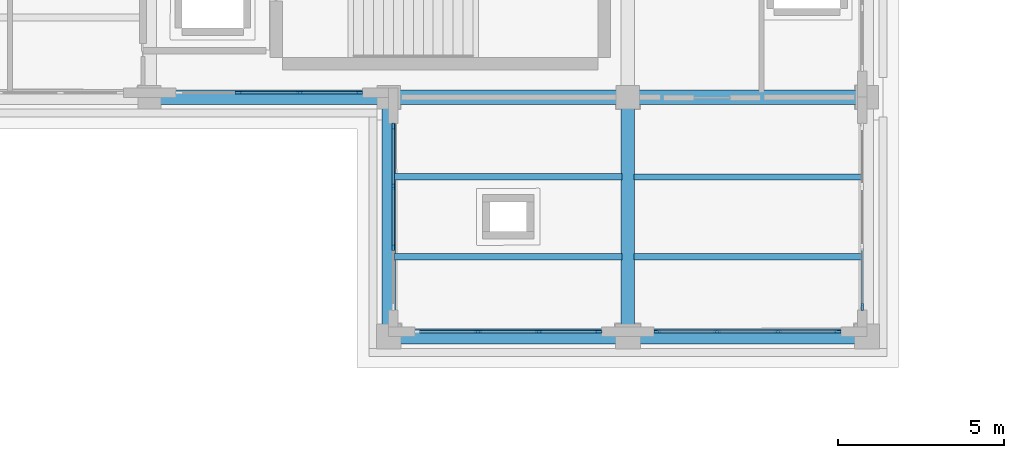
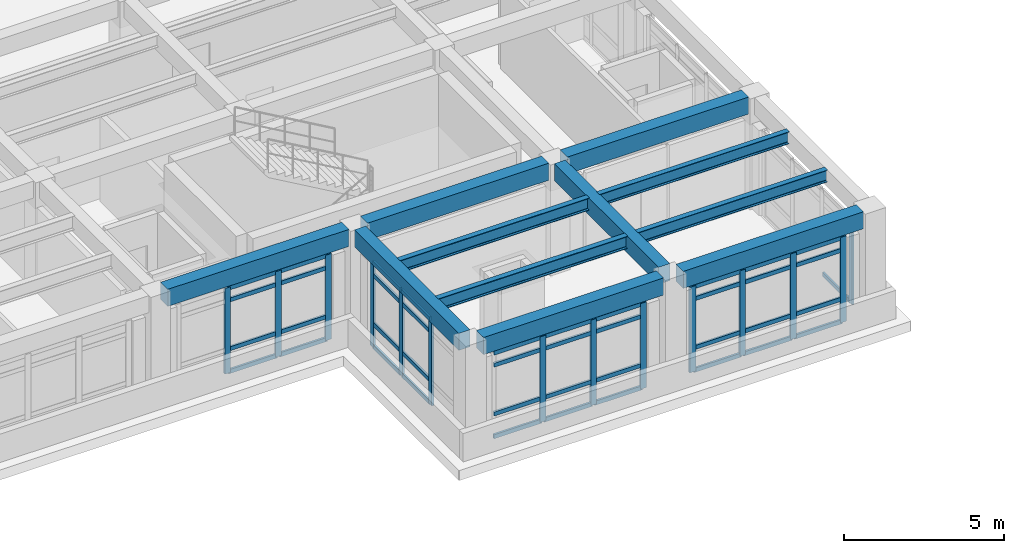
# One storey, part 26 of 64: 55 members, 11 beams, 5 elements without a shape of their own.
"""IFC4 building model written with IfcOpenShell, lengths in metres."""

from ifc_helpers import new_model, si_unit, direction, frame, origin, origin_2d, place, context, subcontext, project, spatial, rectangle, i_section, extrude, material, layer, layer_set, material_profile, profile_set, type_object, element, aggregate, save


model = new_model("IFC4")

# Units and contexts
model_context = context("Model", 3, precision=1e-05, world=origin(), true_north=direction((0.0, 1.0)))
body_context = subcontext(model_context, "Body", "Model", "MODEL_VIEW")
ifc_project = project(units=[si_unit("LENGTHUNIT", "METRE"), si_unit("AREAUNIT", "SQUARE_METRE"), si_unit("VOLUMEUNIT", "CUBIC_METRE"), si_unit("PLANEANGLEUNIT", "RADIAN"), si_unit("MASSUNIT", "GRAM", prefix="KILO")], contexts=[model_context])

# Site, building, storey
site_placement = place(None, origin())
site = spatial("IfcSite", under=ifc_project, at=site_placement, CompositionType="ELEMENT")
building_placement = place(site_placement, origin())
building = spatial("IfcBuilding", under=site, at=building_placement, Name="Solenvale Faculty of Natural Sciences", CompositionType="ELEMENT")
storey_placement = place(building_placement, frame((0.0, 0.0, 18.0)))
storey = spatial("IfcBuildingStorey", under=building, at=storey_placement, Name="L04", CompositionType="ELEMENT", Elevation=18.0)

# Beams
ifc_material_1 = material(Name="Concrete 40 MPa", Category="concrete")
ifc_material_profile_1 = material_profile(ifc_material_1, rectangle(XDim=0.39990234375, YDim=0.64990234375, at=origin_2d()), Name="RC-BM-400x650")
ifc_profile_set_1 = profile_set([ifc_material_profile_1], Name="Concrete 40 MPa")
beam_type_1 = type_object("IfcBeamType", Name="BM-RC-400x650", PredefinedType="BEAM", material=ifc_profile_set_1)
for number, where, z_axis, x_axis, name in (
    (1, (136.800048828125, 86.7548828125, 3.89501953125), (0.0, 1.0, 0.0), (-1.0, 0.0, 0.0), "L04 Y-Girder X136.8 (86.4..93.6)"),
    (2, (144.0, 86.7548828125, 3.89501953125), (0.0, 1.0, 0.0), (-1.0, 0.0, 0.0), "L04 Y-Girder X144.0 (86.4..93.6)"),
):
    element("IfcBeam", number, at=place(storey_placement, frame(where, z_axis=z_axis, x_axis=x_axis)), inside=storey, type_object=beam_type_1, Name=name, PredefinedType="BEAM", context=body_context, shape_type="SweptSolid", body=[
        extrude(rectangle(XDim=0.39990234375, YDim=0.64990234375, at=origin_2d()), origin(), (0.0, 0.0, 1.0), 6.51513671875),
    ])
ifc_material_profile_2 = material_profile(ifc_material_1, rectangle(XDim=0.449951171875, YDim=0.64990234375, at=origin_2d()), Name="RC-BM-450x650")
ifc_profile_set_2 = profile_set([ifc_material_profile_2], Name="Concrete 40 MPa")
beam_type_2 = type_object("IfcBeamType", Name="BM-RC-450x650", PredefinedType="BEAM", material=ifc_profile_set_2)
for number, where, z_axis, x_axis, name in (
    (3, (137.155029296875, 86.39990234375, 3.89501953125), (1.0, 0.0, 0.0), (0.0, 1.0, 0.0), "L04 X-Girder Y86.4 (136.8..144.0)"),
    (4, (144.35498046875, 86.39990234375, 3.89501953125), (1.0, 0.0, 0.0), (0.0, 1.0, 0.0), "L04 X-Girder Y86.4 (144.0..151.2)"),
):
    element("IfcBeam", number, at=place(storey_placement, frame(where, z_axis=z_axis, x_axis=x_axis)), inside=storey, type_object=beam_type_2, Name=name, PredefinedType="BEAM", context=body_context, shape_type="SweptSolid", body=[
        extrude(rectangle(XDim=0.449951171875, YDim=0.64990234375, at=origin_2d()), origin(), (0.0, 0.0, 1.0), 6.489990234375),
    ])
for number, where, z_axis, x_axis, name in (
    (5, (129.929931640625, 93.60009765625, 3.89501953125), (1.0, 0.0, 0.0), (0.0, 1.0, 0.0), "L04 X-Girder Y93.6 (129.6..136.8)"),
    (6, (137.1298828125, 93.60009765625, 3.89501953125), (1.0, 0.0, 0.0), (0.0, 1.0, 0.0), "L04 X-Girder Y93.6 (136.8..144.0)"),
    (7, (144.330078125, 93.60009765625, 3.89501953125), (1.0, 0.0, 0.0), (0.0, 1.0, 0.0), "L04 X-Girder Y93.6 (144.0..151.2)"),
):
    element("IfcBeam", number, at=place(storey_placement, frame(where, z_axis=z_axis, x_axis=x_axis)), inside=storey, type_object=beam_type_2, Name=name, PredefinedType="BEAM", context=body_context, shape_type="SweptSolid", body=[
        extrude(rectangle(XDim=0.449951171875, YDim=0.64990234375, at=origin_2d()), origin(), (0.0, 0.0, 1.0), 6.5400390625),
    ])
ifc_material_2 = material(Name="Steel S355", Category="steel")
ifc_material_profile_3 = material_profile(ifc_material_2, i_section(OverallWidth=0.194091796875, OverallDepth=0.468994140625, WebThickness=0.0126953125, FlangeThickness=0.0205078125, FilletRadius=0.01806640625, at=origin_2d()), Name="W460x106")
ifc_profile_set_3 = profile_set([ifc_material_profile_3], Name="Steel S355")
beam_type_3 = type_object("IfcBeamType", Name="BM-STL-W460x106", PredefinedType="JOIST", material=ifc_profile_set_3)
for number, where, z_axis, x_axis, name in (
    (8, (136.97998046875, 88.800048828125, 3.985595703125), (1.0, 0.0, 0.0), (0.0, 1.0, 0.0), "L04 Composite Floor Joist (20,13).1"),
    (9, (136.97998046875, 91.199951171875, 3.985595703125), (1.0, 0.0, 0.0), (0.0, 1.0, 0.0), "L04 Composite Floor Joist (20,13).2"),
):
    element("IfcBeam", number, at=place(storey_placement, frame(where, z_axis=z_axis, x_axis=x_axis)), inside=storey, type_object=beam_type_3, Name=name, PredefinedType="JOIST", context=body_context, shape_type="SweptSolid", body=[
        extrude(i_section(OverallWidth=0.194091796875, OverallDepth=0.468994140625, WebThickness=0.0126953125, FlangeThickness=0.0205078125, FilletRadius=0.01806640625, at=origin_2d()), origin(), (0.0, 0.0, 1.0), 6.840087890625),
    ])
ifc_material_profile_4 = material_profile(ifc_material_2, i_section(OverallWidth=0.19091796875, OverallDepth=0.4599609375, WebThickness=0.010009765625, FlangeThickness=0.01611328125, FilletRadius=0.01806640625, at=origin_2d()), Name="W460x82")
ifc_profile_set_4 = profile_set([ifc_material_profile_4], Name="Steel S355")
beam_type_4 = type_object("IfcBeamType", Name="BM-STL-W460x82", PredefinedType="JOIST", material=ifc_profile_set_4)
for number, where, z_axis, x_axis, name in (
    (10, (144.179931640625, 88.800048828125, 3.989990234375), (1.0, 0.0, 0.0), (0.0, 1.0, 0.0), "L04 Composite Floor Joist (21,13).1"),
    (11, (144.179931640625, 91.199951171875, 3.989990234375), (1.0, 0.0, 0.0), (0.0, 1.0, 0.0), "L04 Composite Floor Joist (21,13).2"),
):
    element("IfcBeam", number, at=place(storey_placement, frame(where, z_axis=z_axis, x_axis=x_axis)), inside=storey, type_object=beam_type_4, Name=name, PredefinedType="JOIST", context=body_context, shape_type="SweptSolid", body=[
        extrude(i_section(OverallWidth=0.19091796875, OverallDepth=0.4599609375, WebThickness=0.010009765625, FlangeThickness=0.01611328125, FilletRadius=0.01806640625, at=origin_2d()), origin(), (0.0, 0.0, 1.0), 6.840087890625),
    ])

# Curtain wall, members
ifc_material_3 = material(Name="Anodised bronze aluminium", Category="aluminium")
ifc_layer = layer(ifc_material_3, 0.179931640625)
ifc_layer_set = layer_set([ifc_layer], Name="Anodised bronze aluminium")
curtain_wall_type = type_object("IfcCurtainWallType", Name="CW-TWR-MOD", PredefinedType="USERDEFINED", material=ifc_layer_set)
curtain_wall_1_placement = place(storey_placement, origin())
curtain_wall_1 = element("IfcCurtainWall", 12, at=curtain_wall_1_placement, inside=storey, type_object=curtain_wall_type, Name="L04 Curtain Wall CW-L04-P3-E1-B1", ObjectType="UNITISED CURTAIN WALL", PredefinedType="USERDEFINED")
ifc_material_profile_5 = material_profile(ifc_material_3, rectangle(XDim=0.074951171875, YDim=0.2099609375, at=origin_2d()), Name="ALU-MUL-75x210")
ifc_profile_set_5 = profile_set([ifc_material_profile_5], Name="Anodised bronze aluminium")
member_type_1 = type_object("IfcMemberType", Name="CWM-ALU-75x210", PredefinedType="MULLION", material=ifc_profile_set_5)
member_1_placement = place(storey_placement, frame((139.4833984375, 86.54248046875, 0.0), z_axis=(0.0, 0.0, 1.0), x_axis=(0.0, 1.0, 0.0)))
member_1 = element("IfcMember", 13, at=member_1_placement, type_object=member_type_1, Name="CW-04 mullion 2", PredefinedType="MULLION", context=body_context, shape_type="SweptSolid", body=[
    extrude(rectangle(XDim=0.074951171875, YDim=0.2099609375, at=origin_2d()), origin(), (0.0, 0.0, 1.0), 3.260009765625),
])
member_2_placement = place(storey_placement, frame((141.316650390625, 86.54248046875, 0.0), z_axis=(0.0, 0.0, 1.0), x_axis=(0.0, 1.0, 0.0)))
member_2 = element("IfcMember", 14, at=member_2_placement, type_object=member_type_1, Name="CW-04 mullion 3", PredefinedType="MULLION", context=body_context, shape_type="SweptSolid", body=[
    extrude(rectangle(XDim=0.074951171875, YDim=0.2099609375, at=origin_2d()), origin(), (0.0, 0.0, 1.0), 3.260009765625),
])
member_3_placement = place(storey_placement, frame((143.112548828125, 86.54248046875, 0.0), z_axis=(0.0, 0.0, 1.0), x_axis=(0.0, 1.0, 0.0)))
member_3 = element("IfcMember", 15, at=member_3_placement, type_object=member_type_1, Name="CW-04 mullion 4", PredefinedType="MULLION", context=body_context, shape_type="SweptSolid", body=[
    extrude(rectangle(XDim=0.074951171875, YDim=0.2099609375, at=origin_2d()), origin(), (0.0, 0.0, 1.0), 3.260009765625),
])

curtain_wall_2_placement = place(storey_placement, origin())
curtain_wall_2 = element("IfcCurtainWall", 16, at=curtain_wall_2_placement, inside=storey, type_object=curtain_wall_type, Name="L04 Curtain Wall CW-L04-P3-E1-B2", ObjectType="UNITISED CURTAIN WALL", PredefinedType="USERDEFINED")
member_4_placement = place(storey_placement, frame((144.887451171875, 86.54248046875, 0.0), z_axis=(0.0, 0.0, 1.0), x_axis=(0.0, 1.0, 0.0)))
member_4 = element("IfcMember", 17, at=member_4_placement, type_object=member_type_1, Name="CW-04 mullion 1", PredefinedType="MULLION", context=body_context, shape_type="SweptSolid", body=[
    extrude(rectangle(XDim=0.074951171875, YDim=0.2099609375, at=origin_2d()), origin(), (0.0, 0.0, 1.0), 3.260009765625),
])
member_5_placement = place(storey_placement, frame((146.683349609375, 86.54248046875, 0.0), z_axis=(0.0, 0.0, 1.0), x_axis=(0.0, 1.0, 0.0)))
member_5 = element("IfcMember", 18, at=member_5_placement, type_object=member_type_1, Name="CW-04 mullion 2", PredefinedType="MULLION", context=body_context, shape_type="SweptSolid", body=[
    extrude(rectangle(XDim=0.074951171875, YDim=0.2099609375, at=origin_2d()), origin(), (0.0, 0.0, 1.0), 3.260009765625),
])
member_6_placement = place(storey_placement, frame((148.5166015625, 86.54248046875, 0.0), z_axis=(0.0, 0.0, 1.0), x_axis=(0.0, 1.0, 0.0)))
member_6 = element("IfcMember", 19, at=member_6_placement, type_object=member_type_1, Name="CW-04 mullion 3", PredefinedType="MULLION", context=body_context, shape_type="SweptSolid", body=[
    extrude(rectangle(XDim=0.074951171875, YDim=0.2099609375, at=origin_2d()), origin(), (0.0, 0.0, 1.0), 3.260009765625),
])
member_7_placement = place(storey_placement, frame((150.3125, 86.54248046875, 0.0), z_axis=(0.0, 0.0, 1.0), x_axis=(0.0, 1.0, 0.0)))
member_7 = element("IfcMember", 20, at=member_7_placement, type_object=member_type_1, Name="CW-04 mullion 4", PredefinedType="MULLION", context=body_context, shape_type="SweptSolid", body=[
    extrude(rectangle(XDim=0.074951171875, YDim=0.2099609375, at=origin_2d()), origin(), (0.0, 0.0, 1.0), 3.260009765625),
])

# Curtain wall, member
curtain_wall_3_placement = place(storey_placement, origin())
curtain_wall_3 = element("IfcCurtainWall", 21, at=curtain_wall_3_placement, inside=storey, type_object=curtain_wall_type, Name="L04 Curtain Wall CW-L04-P3-E2-B1", ObjectType="UNITISED CURTAIN WALL", PredefinedType="USERDEFINED")
member_8_placement = place(storey_placement, frame((151.0576171875, 87.28759765625, 0.0), z_axis=(0.0, 0.0, 1.0), x_axis=(-1.0, 0.0, 0.0)))
member_8 = element("IfcMember", 22, at=member_8_placement, type_object=member_type_1, Name="CW-04 mullion 1", PredefinedType="MULLION", context=body_context, shape_type="SweptSolid", body=[
    extrude(rectangle(XDim=0.074951171875, YDim=0.2099609375, at=origin_2d()), origin(), (0.0, 0.0, 1.0), 3.260009765625),
])

# Curtain wall, members
curtain_wall_4_placement = place(storey_placement, origin())
curtain_wall_4 = element("IfcCurtainWall", 23, at=curtain_wall_4_placement, inside=storey, type_object=curtain_wall_type, Name="L04 Curtain Wall CW-L04-P3-E6-B8", ObjectType="UNITISED CURTAIN WALL", PredefinedType="USERDEFINED")
member_9_placement = place(storey_placement, frame((132.283447265625, 93.742431640625, 0.0), z_axis=(0.0, 0.0, 1.0), x_axis=(0.0, 1.0, 0.0)))
member_9 = element("IfcMember", 24, at=member_9_placement, type_object=member_type_1, Name="CW-04 mullion 2", PredefinedType="MULLION", context=body_context, shape_type="SweptSolid", body=[
    extrude(rectangle(XDim=0.074951171875, YDim=0.2099609375, at=origin_2d()), origin(), (0.0, 0.0, 1.0), 3.260009765625),
])
member_10_placement = place(storey_placement, frame((134.11669921875, 93.742431640625, 0.0), z_axis=(0.0, 0.0, 1.0), x_axis=(0.0, 1.0, 0.0)))
member_10 = element("IfcMember", 25, at=member_10_placement, type_object=member_type_1, Name="CW-04 mullion 3", PredefinedType="MULLION", context=body_context, shape_type="SweptSolid", body=[
    extrude(rectangle(XDim=0.074951171875, YDim=0.2099609375, at=origin_2d()), origin(), (0.0, 0.0, 1.0), 3.260009765625),
])
member_11_placement = place(storey_placement, frame((135.91259765625, 93.742431640625, 0.0), z_axis=(0.0, 0.0, 1.0), x_axis=(0.0, 1.0, 0.0)))
member_11 = element("IfcMember", 26, at=member_11_placement, type_object=member_type_1, Name="CW-04 mullion 4", PredefinedType="MULLION", context=body_context, shape_type="SweptSolid", body=[
    extrude(rectangle(XDim=0.074951171875, YDim=0.2099609375, at=origin_2d()), origin(), (0.0, 0.0, 1.0), 3.260009765625),
])

curtain_wall_5_placement = place(storey_placement, origin())
curtain_wall_5 = element("IfcCurtainWall", 27, at=curtain_wall_5_placement, inside=storey, type_object=curtain_wall_type, Name="L04 Curtain Wall CW-L04-P3-E7-B1", ObjectType="UNITISED CURTAIN WALL", PredefinedType="USERDEFINED")
member_12_placement = place(storey_placement, frame((136.9423828125, 92.71240234375, 0.0), z_axis=(0.0, 0.0, 1.0), x_axis=(1.0, 0.0, 0.0)))
member_12 = element("IfcMember", 28, at=member_12_placement, type_object=member_type_1, Name="CW-04 mullion 1", PredefinedType="MULLION", context=body_context, shape_type="SweptSolid", body=[
    extrude(rectangle(XDim=0.074951171875, YDim=0.2099609375, at=origin_2d()), origin(), (0.0, 0.0, 1.0), 3.260009765625),
])
member_13_placement = place(storey_placement, frame((136.9423828125, 90.916748046875, 0.0), z_axis=(0.0, 0.0, 1.0), x_axis=(1.0, 0.0, 0.0)))
member_13 = element("IfcMember", 29, at=member_13_placement, type_object=member_type_1, Name="CW-04 mullion 2", PredefinedType="MULLION", context=body_context, shape_type="SweptSolid", body=[
    extrude(rectangle(XDim=0.074951171875, YDim=0.2099609375, at=origin_2d()), origin(), (0.0, 0.0, 1.0), 3.260009765625),
])
member_14_placement = place(storey_placement, frame((136.9423828125, 89.083251953125, 0.0), z_axis=(0.0, 0.0, 1.0), x_axis=(1.0, 0.0, 0.0)))
member_14 = element("IfcMember", 30, at=member_14_placement, type_object=member_type_1, Name="CW-04 mullion 3", PredefinedType="MULLION", context=body_context, shape_type="SweptSolid", body=[
    extrude(rectangle(XDim=0.074951171875, YDim=0.2099609375, at=origin_2d()), origin(), (0.0, 0.0, 1.0), 3.260009765625),
])

# Member
ifc_material_profile_6 = material_profile(ifc_material_3, rectangle(XDim=0.074951171875, YDim=0.155029296875, at=origin_2d()), Name="ALU-TRN-75x155")
ifc_profile_set_6 = profile_set([ifc_material_profile_6], Name="Anodised bronze aluminium")
member_type_2 = type_object("IfcMemberType", Name="CWT-ALU-75x155", PredefinedType="USERDEFINED", material=ifc_profile_set_6)
member_15_placement = place(storey_placement, frame((137.72509765625, 86.54248046875, 0.03759765625), z_axis=(1.0, 0.0, 0.0), x_axis=(0.0, 1.0, 0.0)))
member_15 = element("IfcMember", 31, at=member_15_placement, type_object=member_type_2, Name="CW-04 transom 1.1", ObjectType="TRANSOM", PredefinedType="USERDEFINED", context=body_context, shape_type="SweptSolid", body=[
    extrude(rectangle(XDim=0.074951171875, YDim=0.155029296875, at=origin_2d()), origin(), (0.0, 0.0, 1.0), 1.720703125),
])

member_16_placement = place(storey_placement, frame((137.72509765625, 86.54248046875, 0.89990234375), z_axis=(1.0, 0.0, 0.0), x_axis=(0.0, 1.0, 0.0)))
member_16 = element("IfcMember", 32, at=member_16_placement, type_object=member_type_2, Name="CW-04 transom 1.2", ObjectType="TRANSOM", PredefinedType="USERDEFINED", context=body_context, shape_type="SweptSolid", body=[
    extrude(rectangle(XDim=0.074951171875, YDim=0.155029296875, at=origin_2d()), origin(), (0.0, 0.0, 1.0), 1.720703125),
])

member_17_placement = place(storey_placement, frame((137.72509765625, 86.54248046875, 2.760009765625), z_axis=(1.0, 0.0, 0.0), x_axis=(0.0, 1.0, 0.0)))
member_17 = element("IfcMember", 33, at=member_17_placement, type_object=member_type_2, Name="CW-04 transom 1.3", ObjectType="TRANSOM", PredefinedType="USERDEFINED", context=body_context, shape_type="SweptSolid", body=[
    extrude(rectangle(XDim=0.074951171875, YDim=0.155029296875, at=origin_2d()), origin(), (0.0, 0.0, 1.0), 1.720703125),
])

member_18_placement = place(storey_placement, frame((137.72509765625, 86.54248046875, 3.222412109375), z_axis=(1.0, 0.0, 0.0), x_axis=(0.0, 1.0, 0.0)))
member_18 = element("IfcMember", 34, at=member_18_placement, type_object=member_type_2, Name="CW-04 transom 1.4", ObjectType="TRANSOM", PredefinedType="USERDEFINED", context=body_context, shape_type="SweptSolid", body=[
    extrude(rectangle(XDim=0.074951171875, YDim=0.155029296875, at=origin_2d()), origin(), (0.0, 0.0, 1.0), 1.720703125),
])

member_19_placement = place(storey_placement, frame((139.520751953125, 86.54248046875, 0.03759765625), z_axis=(1.0, 0.0, 0.0), x_axis=(0.0, 1.0, 0.0)))
member_19 = element("IfcMember", 35, at=member_19_placement, type_object=member_type_2, Name="CW-04 transom 2.1", ObjectType="TRANSOM", PredefinedType="USERDEFINED", context=body_context, shape_type="SweptSolid", body=[
    extrude(rectangle(XDim=0.074951171875, YDim=0.155029296875, at=origin_2d()), origin(), (0.0, 0.0, 1.0), 1.75830078125),
])

member_20_placement = place(storey_placement, frame((139.520751953125, 86.54248046875, 0.89990234375), z_axis=(1.0, 0.0, 0.0), x_axis=(0.0, 1.0, 0.0)))
member_20 = element("IfcMember", 36, at=member_20_placement, type_object=member_type_2, Name="CW-04 transom 2.2", ObjectType="TRANSOM", PredefinedType="USERDEFINED", context=body_context, shape_type="SweptSolid", body=[
    extrude(rectangle(XDim=0.074951171875, YDim=0.155029296875, at=origin_2d()), origin(), (0.0, 0.0, 1.0), 1.75830078125),
])

member_21_placement = place(storey_placement, frame((139.520751953125, 86.54248046875, 2.760009765625), z_axis=(1.0, 0.0, 0.0), x_axis=(0.0, 1.0, 0.0)))
member_21 = element("IfcMember", 37, at=member_21_placement, type_object=member_type_2, Name="CW-04 transom 2.3", ObjectType="TRANSOM", PredefinedType="USERDEFINED", context=body_context, shape_type="SweptSolid", body=[
    extrude(rectangle(XDim=0.074951171875, YDim=0.155029296875, at=origin_2d()), origin(), (0.0, 0.0, 1.0), 1.75830078125),
])

member_22_placement = place(storey_placement, frame((139.520751953125, 86.54248046875, 3.222412109375), z_axis=(1.0, 0.0, 0.0), x_axis=(0.0, 1.0, 0.0)))
member_22 = element("IfcMember", 38, at=member_22_placement, type_object=member_type_2, Name="CW-04 transom 2.4", ObjectType="TRANSOM", PredefinedType="USERDEFINED", context=body_context, shape_type="SweptSolid", body=[
    extrude(rectangle(XDim=0.074951171875, YDim=0.155029296875, at=origin_2d()), origin(), (0.0, 0.0, 1.0), 1.75830078125),
])

member_23_placement = place(storey_placement, frame((141.354248046875, 86.54248046875, 0.03759765625), z_axis=(1.0, 0.0, 0.0), x_axis=(0.0, 1.0, 0.0)))
member_23 = element("IfcMember", 39, at=member_23_placement, type_object=member_type_2, Name="CW-04 transom 3.1", ObjectType="TRANSOM", PredefinedType="USERDEFINED", context=body_context, shape_type="SweptSolid", body=[
    extrude(rectangle(XDim=0.074951171875, YDim=0.155029296875, at=origin_2d()), origin(), (0.0, 0.0, 1.0), 1.720703125),
])

member_24_placement = place(storey_placement, frame((141.354248046875, 86.54248046875, 0.89990234375), z_axis=(1.0, 0.0, 0.0), x_axis=(0.0, 1.0, 0.0)))
member_24 = element("IfcMember", 40, at=member_24_placement, type_object=member_type_2, Name="CW-04 transom 3.2", ObjectType="TRANSOM", PredefinedType="USERDEFINED", context=body_context, shape_type="SweptSolid", body=[
    extrude(rectangle(XDim=0.074951171875, YDim=0.155029296875, at=origin_2d()), origin(), (0.0, 0.0, 1.0), 1.720703125),
])

member_25_placement = place(storey_placement, frame((141.354248046875, 86.54248046875, 2.760009765625), z_axis=(1.0, 0.0, 0.0), x_axis=(0.0, 1.0, 0.0)))
member_25 = element("IfcMember", 41, at=member_25_placement, type_object=member_type_2, Name="CW-04 transom 3.3", ObjectType="TRANSOM", PredefinedType="USERDEFINED", context=body_context, shape_type="SweptSolid", body=[
    extrude(rectangle(XDim=0.074951171875, YDim=0.155029296875, at=origin_2d()), origin(), (0.0, 0.0, 1.0), 1.720703125),
])

member_26_placement = place(storey_placement, frame((141.354248046875, 86.54248046875, 3.222412109375), z_axis=(1.0, 0.0, 0.0), x_axis=(0.0, 1.0, 0.0)))
member_26 = element("IfcMember", 42, at=member_26_placement, type_object=member_type_2, Name="CW-04 transom 3.4", ObjectType="TRANSOM", PredefinedType="USERDEFINED", context=body_context, shape_type="SweptSolid", body=[
    extrude(rectangle(XDim=0.074951171875, YDim=0.155029296875, at=origin_2d()), origin(), (0.0, 0.0, 1.0), 1.720703125),
])

aggregate(curtain_wall_1, [member_1, member_2, member_3, member_15, member_16, member_17, member_18, member_19, member_20, member_21, member_22, member_23, member_24, member_25, member_26])

member_27_placement = place(storey_placement, frame((144.925048828125, 86.54248046875, 0.03759765625), z_axis=(1.0, 0.0, 0.0), x_axis=(0.0, 1.0, 0.0)))
member_27 = element("IfcMember", 43, at=member_27_placement, type_object=member_type_2, Name="CW-04 transom 1.1", ObjectType="TRANSOM", PredefinedType="USERDEFINED", context=body_context, shape_type="SweptSolid", body=[
    extrude(rectangle(XDim=0.074951171875, YDim=0.155029296875, at=origin_2d()), origin(), (0.0, 0.0, 1.0), 1.720703125),
])

member_28_placement = place(storey_placement, frame((144.925048828125, 86.54248046875, 0.89990234375), z_axis=(1.0, 0.0, 0.0), x_axis=(0.0, 1.0, 0.0)))
member_28 = element("IfcMember", 44, at=member_28_placement, type_object=member_type_2, Name="CW-04 transom 1.2", ObjectType="TRANSOM", PredefinedType="USERDEFINED", context=body_context, shape_type="SweptSolid", body=[
    extrude(rectangle(XDim=0.074951171875, YDim=0.155029296875, at=origin_2d()), origin(), (0.0, 0.0, 1.0), 1.720703125),
])

member_29_placement = place(storey_placement, frame((144.925048828125, 86.54248046875, 2.760009765625), z_axis=(1.0, 0.0, 0.0), x_axis=(0.0, 1.0, 0.0)))
member_29 = element("IfcMember", 45, at=member_29_placement, type_object=member_type_2, Name="CW-04 transom 1.3", ObjectType="TRANSOM", PredefinedType="USERDEFINED", context=body_context, shape_type="SweptSolid", body=[
    extrude(rectangle(XDim=0.074951171875, YDim=0.155029296875, at=origin_2d()), origin(), (0.0, 0.0, 1.0), 1.720703125),
])

member_30_placement = place(storey_placement, frame((144.925048828125, 86.54248046875, 3.222412109375), z_axis=(1.0, 0.0, 0.0), x_axis=(0.0, 1.0, 0.0)))
member_30 = element("IfcMember", 46, at=member_30_placement, type_object=member_type_2, Name="CW-04 transom 1.4", ObjectType="TRANSOM", PredefinedType="USERDEFINED", context=body_context, shape_type="SweptSolid", body=[
    extrude(rectangle(XDim=0.074951171875, YDim=0.155029296875, at=origin_2d()), origin(), (0.0, 0.0, 1.0), 1.720703125),
])

member_31_placement = place(storey_placement, frame((146.720947265625, 86.54248046875, 0.03759765625), z_axis=(1.0, 0.0, 0.0), x_axis=(0.0, 1.0, 0.0)))
member_31 = element("IfcMember", 47, at=member_31_placement, type_object=member_type_2, Name="CW-04 transom 2.1", ObjectType="TRANSOM", PredefinedType="USERDEFINED", context=body_context, shape_type="SweptSolid", body=[
    extrude(rectangle(XDim=0.074951171875, YDim=0.155029296875, at=origin_2d()), origin(), (0.0, 0.0, 1.0), 1.75830078125),
])

member_32_placement = place(storey_placement, frame((146.720947265625, 86.54248046875, 0.89990234375), z_axis=(1.0, 0.0, 0.0), x_axis=(0.0, 1.0, 0.0)))
member_32 = element("IfcMember", 48, at=member_32_placement, type_object=member_type_2, Name="CW-04 transom 2.2", ObjectType="TRANSOM", PredefinedType="USERDEFINED", context=body_context, shape_type="SweptSolid", body=[
    extrude(rectangle(XDim=0.074951171875, YDim=0.155029296875, at=origin_2d()), origin(), (0.0, 0.0, 1.0), 1.75830078125),
])

member_33_placement = place(storey_placement, frame((146.720947265625, 86.54248046875, 2.760009765625), z_axis=(1.0, 0.0, 0.0), x_axis=(0.0, 1.0, 0.0)))
member_33 = element("IfcMember", 49, at=member_33_placement, type_object=member_type_2, Name="CW-04 transom 2.3", ObjectType="TRANSOM", PredefinedType="USERDEFINED", context=body_context, shape_type="SweptSolid", body=[
    extrude(rectangle(XDim=0.074951171875, YDim=0.155029296875, at=origin_2d()), origin(), (0.0, 0.0, 1.0), 1.75830078125),
])

member_34_placement = place(storey_placement, frame((146.720947265625, 86.54248046875, 3.222412109375), z_axis=(1.0, 0.0, 0.0), x_axis=(0.0, 1.0, 0.0)))
member_34 = element("IfcMember", 50, at=member_34_placement, type_object=member_type_2, Name="CW-04 transom 2.4", ObjectType="TRANSOM", PredefinedType="USERDEFINED", context=body_context, shape_type="SweptSolid", body=[
    extrude(rectangle(XDim=0.074951171875, YDim=0.155029296875, at=origin_2d()), origin(), (0.0, 0.0, 1.0), 1.75830078125),
])

member_35_placement = place(storey_placement, frame((148.55419921875, 86.54248046875, 0.03759765625), z_axis=(1.0, 0.0, 0.0), x_axis=(0.0, 1.0, 0.0)))
member_35 = element("IfcMember", 51, at=member_35_placement, type_object=member_type_2, Name="CW-04 transom 3.1", ObjectType="TRANSOM", PredefinedType="USERDEFINED", context=body_context, shape_type="SweptSolid", body=[
    extrude(rectangle(XDim=0.074951171875, YDim=0.155029296875, at=origin_2d()), origin(), (0.0, 0.0, 1.0), 1.720703125),
])

member_36_placement = place(storey_placement, frame((148.55419921875, 86.54248046875, 0.89990234375), z_axis=(1.0, 0.0, 0.0), x_axis=(0.0, 1.0, 0.0)))
member_36 = element("IfcMember", 52, at=member_36_placement, type_object=member_type_2, Name="CW-04 transom 3.2", ObjectType="TRANSOM", PredefinedType="USERDEFINED", context=body_context, shape_type="SweptSolid", body=[
    extrude(rectangle(XDim=0.074951171875, YDim=0.155029296875, at=origin_2d()), origin(), (0.0, 0.0, 1.0), 1.720703125),
])

member_37_placement = place(storey_placement, frame((148.55419921875, 86.54248046875, 2.760009765625), z_axis=(1.0, 0.0, 0.0), x_axis=(0.0, 1.0, 0.0)))
member_37 = element("IfcMember", 53, at=member_37_placement, type_object=member_type_2, Name="CW-04 transom 3.3", ObjectType="TRANSOM", PredefinedType="USERDEFINED", context=body_context, shape_type="SweptSolid", body=[
    extrude(rectangle(XDim=0.074951171875, YDim=0.155029296875, at=origin_2d()), origin(), (0.0, 0.0, 1.0), 1.720703125),
])

member_38_placement = place(storey_placement, frame((148.55419921875, 86.54248046875, 3.222412109375), z_axis=(1.0, 0.0, 0.0), x_axis=(0.0, 1.0, 0.0)))
member_38 = element("IfcMember", 54, at=member_38_placement, type_object=member_type_2, Name="CW-04 transom 3.4", ObjectType="TRANSOM", PredefinedType="USERDEFINED", context=body_context, shape_type="SweptSolid", body=[
    extrude(rectangle(XDim=0.074951171875, YDim=0.155029296875, at=origin_2d()), origin(), (0.0, 0.0, 1.0), 1.720703125),
])

aggregate(curtain_wall_2, [member_4, member_5, member_6, member_7, member_27, member_28, member_29, member_30, member_31, member_32, member_33, member_34, member_35, member_36, member_37, member_38])

member_39_placement = place(storey_placement, frame((151.0576171875, 87.324951171875, 0.03759765625), z_axis=(0.0, 1.0, 0.0), x_axis=(-1.0, 0.0, 0.0)))
member_39 = element("IfcMember", 55, at=member_39_placement, type_object=member_type_2, Name="CW-04 transom 1.1", ObjectType="TRANSOM", PredefinedType="USERDEFINED", context=body_context, shape_type="SweptSolid", body=[
    extrude(rectangle(XDim=0.074951171875, YDim=0.155029296875, at=origin_2d()), origin(), (0.0, 0.0, 1.0), 1.720947265625),
])

aggregate(curtain_wall_3, [member_8, member_39])

member_40_placement = place(storey_placement, frame((132.32080078125, 93.742431640625, 0.03759765625), z_axis=(1.0, 0.0, 0.0), x_axis=(0.0, 1.0, 0.0)))
member_40 = element("IfcMember", 56, at=member_40_placement, type_object=member_type_2, Name="CW-04 transom 2.1", ObjectType="TRANSOM", PredefinedType="USERDEFINED", context=body_context, shape_type="SweptSolid", body=[
    extrude(rectangle(XDim=0.074951171875, YDim=0.155029296875, at=origin_2d()), origin(), (0.0, 0.0, 1.0), 1.75830078125),
])

member_41_placement = place(storey_placement, frame((132.32080078125, 93.742431640625, 0.89990234375), z_axis=(1.0, 0.0, 0.0), x_axis=(0.0, 1.0, 0.0)))
member_41 = element("IfcMember", 57, at=member_41_placement, type_object=member_type_2, Name="CW-04 transom 2.2", ObjectType="TRANSOM", PredefinedType="USERDEFINED", context=body_context, shape_type="SweptSolid", body=[
    extrude(rectangle(XDim=0.074951171875, YDim=0.155029296875, at=origin_2d()), origin(), (0.0, 0.0, 1.0), 1.75830078125),
])

member_42_placement = place(storey_placement, frame((132.32080078125, 93.742431640625, 2.760009765625), z_axis=(1.0, 0.0, 0.0), x_axis=(0.0, 1.0, 0.0)))
member_42 = element("IfcMember", 58, at=member_42_placement, type_object=member_type_2, Name="CW-04 transom 2.3", ObjectType="TRANSOM", PredefinedType="USERDEFINED", context=body_context, shape_type="SweptSolid", body=[
    extrude(rectangle(XDim=0.074951171875, YDim=0.155029296875, at=origin_2d()), origin(), (0.0, 0.0, 1.0), 1.75830078125),
])

member_43_placement = place(storey_placement, frame((132.32080078125, 93.742431640625, 3.222412109375), z_axis=(1.0, 0.0, 0.0), x_axis=(0.0, 1.0, 0.0)))
member_43 = element("IfcMember", 59, at=member_43_placement, type_object=member_type_2, Name="CW-04 transom 2.4", ObjectType="TRANSOM", PredefinedType="USERDEFINED", context=body_context, shape_type="SweptSolid", body=[
    extrude(rectangle(XDim=0.074951171875, YDim=0.155029296875, at=origin_2d()), origin(), (0.0, 0.0, 1.0), 1.75830078125),
])

member_44_placement = place(storey_placement, frame((134.154052734375, 93.742431640625, 0.03759765625), z_axis=(1.0, 0.0, 0.0), x_axis=(0.0, 1.0, 0.0)))
member_44 = element("IfcMember", 60, at=member_44_placement, type_object=member_type_2, Name="CW-04 transom 3.1", ObjectType="TRANSOM", PredefinedType="USERDEFINED", context=body_context, shape_type="SweptSolid", body=[
    extrude(rectangle(XDim=0.074951171875, YDim=0.155029296875, at=origin_2d()), origin(), (0.0, 0.0, 1.0), 1.720947265625),
])

member_45_placement = place(storey_placement, frame((134.154052734375, 93.742431640625, 0.89990234375), z_axis=(1.0, 0.0, 0.0), x_axis=(0.0, 1.0, 0.0)))
member_45 = element("IfcMember", 61, at=member_45_placement, type_object=member_type_2, Name="CW-04 transom 3.2", ObjectType="TRANSOM", PredefinedType="USERDEFINED", context=body_context, shape_type="SweptSolid", body=[
    extrude(rectangle(XDim=0.074951171875, YDim=0.155029296875, at=origin_2d()), origin(), (0.0, 0.0, 1.0), 1.720947265625),
])

member_46_placement = place(storey_placement, frame((134.154052734375, 93.742431640625, 2.760009765625), z_axis=(1.0, 0.0, 0.0), x_axis=(0.0, 1.0, 0.0)))
member_46 = element("IfcMember", 62, at=member_46_placement, type_object=member_type_2, Name="CW-04 transom 3.3", ObjectType="TRANSOM", PredefinedType="USERDEFINED", context=body_context, shape_type="SweptSolid", body=[
    extrude(rectangle(XDim=0.074951171875, YDim=0.155029296875, at=origin_2d()), origin(), (0.0, 0.0, 1.0), 1.720947265625),
])

member_47_placement = place(storey_placement, frame((134.154052734375, 93.742431640625, 3.222412109375), z_axis=(1.0, 0.0, 0.0), x_axis=(0.0, 1.0, 0.0)))
member_47 = element("IfcMember", 63, at=member_47_placement, type_object=member_type_2, Name="CW-04 transom 3.4", ObjectType="TRANSOM", PredefinedType="USERDEFINED", context=body_context, shape_type="SweptSolid", body=[
    extrude(rectangle(XDim=0.074951171875, YDim=0.155029296875, at=origin_2d()), origin(), (0.0, 0.0, 1.0), 1.720947265625),
])

aggregate(curtain_wall_4, [member_9, member_10, member_11, member_40, member_41, member_42, member_43, member_44, member_45, member_46, member_47])

member_48_placement = place(storey_placement, frame((136.9423828125, 92.675048828125, 0.03759765625), z_axis=(0.0, -1.0, 0.0), x_axis=(1.0, 0.0, 0.0)))
member_48 = element("IfcMember", 64, at=member_48_placement, type_object=member_type_2, Name="CW-04 transom 1.1", ObjectType="TRANSOM", PredefinedType="USERDEFINED", context=body_context, shape_type="SweptSolid", body=[
    extrude(rectangle(XDim=0.074951171875, YDim=0.155029296875, at=origin_2d()), origin(), (0.0, 0.0, 1.0), 1.720947265625),
])

member_49_placement = place(storey_placement, frame((136.9423828125, 92.675048828125, 0.89990234375), z_axis=(0.0, -1.0, 0.0), x_axis=(1.0, 0.0, 0.0)))
member_49 = element("IfcMember", 65, at=member_49_placement, type_object=member_type_2, Name="CW-04 transom 1.2", ObjectType="TRANSOM", PredefinedType="USERDEFINED", context=body_context, shape_type="SweptSolid", body=[
    extrude(rectangle(XDim=0.074951171875, YDim=0.155029296875, at=origin_2d()), origin(), (0.0, 0.0, 1.0), 1.720947265625),
])

member_50_placement = place(storey_placement, frame((136.9423828125, 92.675048828125, 2.760009765625), z_axis=(0.0, -1.0, 0.0), x_axis=(1.0, 0.0, 0.0)))
member_50 = element("IfcMember", 66, at=member_50_placement, type_object=member_type_2, Name="CW-04 transom 1.3", ObjectType="TRANSOM", PredefinedType="USERDEFINED", context=body_context, shape_type="SweptSolid", body=[
    extrude(rectangle(XDim=0.074951171875, YDim=0.155029296875, at=origin_2d()), origin(), (0.0, 0.0, 1.0), 1.720947265625),
])

member_51_placement = place(storey_placement, frame((136.9423828125, 92.675048828125, 3.222412109375), z_axis=(0.0, -1.0, 0.0), x_axis=(1.0, 0.0, 0.0)))
member_51 = element("IfcMember", 67, at=member_51_placement, type_object=member_type_2, Name="CW-04 transom 1.4", ObjectType="TRANSOM", PredefinedType="USERDEFINED", context=body_context, shape_type="SweptSolid", body=[
    extrude(rectangle(XDim=0.074951171875, YDim=0.155029296875, at=origin_2d()), origin(), (0.0, 0.0, 1.0), 1.720947265625),
])

member_52_placement = place(storey_placement, frame((136.9423828125, 90.879150390625, 0.03759765625), z_axis=(0.0, -1.0, 0.0), x_axis=(1.0, 0.0, 0.0)))
member_52 = element("IfcMember", 68, at=member_52_placement, type_object=member_type_2, Name="CW-04 transom 2.1", ObjectType="TRANSOM", PredefinedType="USERDEFINED", context=body_context, shape_type="SweptSolid", body=[
    extrude(rectangle(XDim=0.074951171875, YDim=0.155029296875, at=origin_2d()), origin(), (0.0, 0.0, 1.0), 1.75830078125),
])

member_53_placement = place(storey_placement, frame((136.9423828125, 90.879150390625, 0.89990234375), z_axis=(0.0, -1.0, 0.0), x_axis=(1.0, 0.0, 0.0)))
member_53 = element("IfcMember", 69, at=member_53_placement, type_object=member_type_2, Name="CW-04 transom 2.2", ObjectType="TRANSOM", PredefinedType="USERDEFINED", context=body_context, shape_type="SweptSolid", body=[
    extrude(rectangle(XDim=0.074951171875, YDim=0.155029296875, at=origin_2d()), origin(), (0.0, 0.0, 1.0), 1.75830078125),
])

member_54_placement = place(storey_placement, frame((136.9423828125, 90.879150390625, 2.760009765625), z_axis=(0.0, -1.0, 0.0), x_axis=(1.0, 0.0, 0.0)))
member_54 = element("IfcMember", 70, at=member_54_placement, type_object=member_type_2, Name="CW-04 transom 2.3", ObjectType="TRANSOM", PredefinedType="USERDEFINED", context=body_context, shape_type="SweptSolid", body=[
    extrude(rectangle(XDim=0.074951171875, YDim=0.155029296875, at=origin_2d()), origin(), (0.0, 0.0, 1.0), 1.75830078125),
])

member_55_placement = place(storey_placement, frame((136.9423828125, 90.879150390625, 3.222412109375), z_axis=(0.0, -1.0, 0.0), x_axis=(1.0, 0.0, 0.0)))
member_55 = element("IfcMember", 71, at=member_55_placement, type_object=member_type_2, Name="CW-04 transom 2.4", ObjectType="TRANSOM", PredefinedType="USERDEFINED", context=body_context, shape_type="SweptSolid", body=[
    extrude(rectangle(XDim=0.074951171875, YDim=0.155029296875, at=origin_2d()), origin(), (0.0, 0.0, 1.0), 1.75830078125),
])

aggregate(curtain_wall_5, [member_12, member_13, member_14, member_48, member_49, member_50, member_51, member_52, member_53, member_54, member_55])

save(model, "model.ifc")
